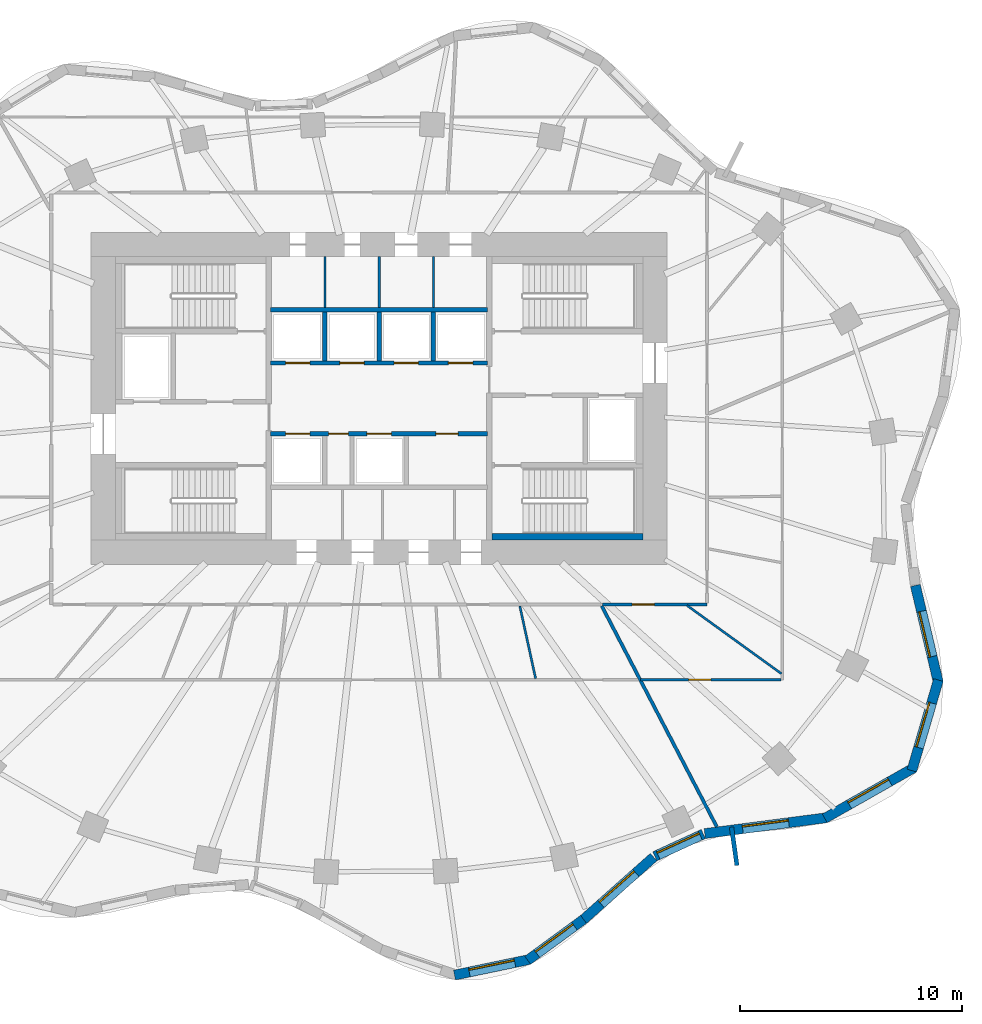
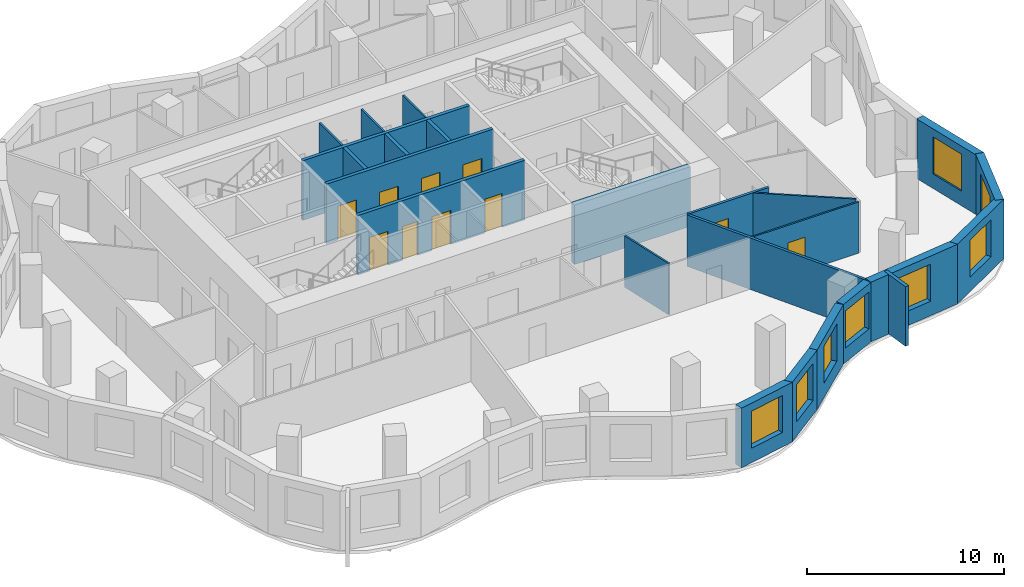
# One storey, part 5 of 9: 24 walls, 10 doors, 8 windows, 18 openings.
"""IFC4 building model written with IfcOpenShell, lengths in metres."""

from ifc_helpers import new_model, si_unit, direction, frame, frame_2d, origin, place, context, subcontext, project, spatial, rectangle, extrude, material, layer, layer_set, type_object, element, fill, save


model = new_model("IFC4")

# Units and contexts
model_context = context("Model", 3, precision=1e-05, world=origin(), true_north=direction((0.0, 1.0)))
body_context = subcontext(model_context, "Body", "Model", "MODEL_VIEW")
ifc_project = project(units=[si_unit("LENGTHUNIT", "METRE"), si_unit("AREAUNIT", "SQUARE_METRE"), si_unit("VOLUMEUNIT", "CUBIC_METRE"), si_unit("PLANEANGLEUNIT", "RADIAN"), si_unit("MASSUNIT", "GRAM", prefix="KILO")], contexts=[model_context])

# Site, building, storey
site_placement = place(None, origin())
site = spatial("IfcSite", under=ifc_project, at=site_placement, CompositionType="ELEMENT")
building_placement = place(site_placement, origin())
building = spatial("IfcBuilding", under=site, at=building_placement, Name="Rubra Terraces Tower", CompositionType="ELEMENT")
storey_placement = place(building_placement, frame((0.0, 0.0, 138.300048828125)))
storey = spatial("IfcBuildingStorey", under=building, at=storey_placement, Name="L33", CompositionType="ELEMENT", Elevation=138.300048828125)

# Wall, opening, window
ifc_material_1 = material(Name="Brick masonry red-brown", Category="masonry")
ifc_layer_1 = layer(ifc_material_1, 0.449951171875)
ifc_layer_set_1 = layer_set([ifc_layer_1], Name="Brick masonry red-brown")
wall_type_1 = type_object("IfcWallType", Name="Brick facade wall 450", PredefinedType="SOLIDWALL", material=ifc_layer_set_1)
wall_1_placement = place(storey_placement, frame((3.39892578125, -21.53173828125, 0.0), z_axis=(0.0, 0.0, 1.0), x_axis=(0.978915912181, 0.204263645512, 0.0)))
wall_1 = element("IfcWall", 1, at=wall_1_placement, inside=storey, type_object=wall_type_1, Name="Facade wall L33 bay 32", PredefinedType="SOLIDWALL", context=body_context, shape_type="SweptSolid", body=[
    extrude(rectangle(XDim=3.466064453125, YDim=0.449951171875, at=frame_2d((1.73291015625, 0.0))), origin(), (0.0, 0.0, 1.0), 3.699951171875),
])
opening_1_placement = place(wall_1_placement, frame((0.68310546875, 0.0, 0.89990234375)))
opening_1 = element("IfcOpeningElement", 2, at=opening_1_placement, cuts=wall_1, Name="Opening W1B", PredefinedType="OPENING", context=body_context, shape_type="SweptSolid", body=[
    extrude(rectangle(XDim=2.10009765625, YDim=2.300048828125, at=frame_2d((1.050048828125, 1.14990234375))), frame((0.0, 0.23486328125, 0.0), z_axis=(0.0, -1.0, 0.0), x_axis=(1.0, 0.0, 0.0)), (0.0, 0.0, 1.0), 0.469970703125),
])
ifc_material_2 = material(Name="Clear glass in aluminium frame", Category="aluminium")
window_type = type_object("IfcWindowType", Name="Fixed deep-set window tall storey 2100 x 2300", PartitioningType="SINGLE_PANEL", PredefinedType="WINDOW", material=ifc_material_2)
window_1_placement = place(opening_1_placement, origin())
window_1 = element("IfcWindow", 3, at=window_1_placement, inside=storey, type_object=window_type, Name="Window L33 bay 32", OverallHeight=2.300048828125, OverallWidth=2.10009765625, PartitioningType="SINGLE_PANEL", PredefinedType="WINDOW", context=body_context, shape_type="SweptSolid", body=[
    extrude(rectangle(XDim=2.10009765625, YDim=2.300048828125, at=frame_2d((1.050048828125, 1.14990234375))), frame((0.0, 0.135009765625, 0.0), z_axis=(0.0, -1.0, 0.0), x_axis=(1.0, 0.0, 0.0)), (0.0, 0.0, 1.0), 0.06005859375),
])
fill(opening_1, window_1)

wall_2_placement = place(storey_placement, frame((6.705078125, -20.8623046875, 0.0), z_axis=(0.0, 0.0, 1.0), x_axis=(0.806921336267, 0.590658917716, 0.0)))
wall_2 = element("IfcWall", 4, at=wall_2_placement, inside=storey, type_object=wall_type_1, Name="Facade wall L33 bay 33", PredefinedType="SOLIDWALL", context=body_context, shape_type="SweptSolid", body=[
    extrude(rectangle(XDim=3.124755859375, YDim=0.449951171875, at=frame_2d((1.5625, 0.0))), origin(), (0.0, 0.0, 1.0), 3.699951171875),
])
opening_2_placement = place(wall_2_placement, frame((0.512451171875, 0.0, 0.89990234375)))
opening_2 = element("IfcOpeningElement", 5, at=opening_2_placement, cuts=wall_2, Name="Opening W1B", PredefinedType="OPENING", context=body_context, shape_type="SweptSolid", body=[
    extrude(rectangle(XDim=2.10009765625, YDim=2.300048828125, at=frame_2d((1.050048828125, 1.14990234375))), frame((0.0, 0.23486328125, 0.0), z_axis=(0.0, -1.0, 0.0), x_axis=(1.0, 0.0, 0.0)), (0.0, 0.0, 1.0), 0.469970703125),
])
window_2_placement = place(opening_2_placement, origin())
window_2 = element("IfcWindow", 6, at=window_2_placement, inside=storey, type_object=window_type, Name="Window L33 bay 33", OverallHeight=2.300048828125, OverallWidth=2.10009765625, PartitioningType="SINGLE_PANEL", PredefinedType="WINDOW", context=body_context, shape_type="SweptSolid", body=[
    extrude(rectangle(XDim=2.10009765625, YDim=2.300048828125, at=frame_2d((1.050048828125, 1.14990234375))), frame((0.0, 0.135009765625, 0.0), z_axis=(0.0, -1.0, 0.0), x_axis=(1.0, 0.0, 0.0)), (0.0, 0.0, 1.0), 0.06005859375),
])
fill(opening_2, window_2)

wall_3_placement = place(storey_placement, frame((9.2099609375, -19.030029296875, 0.0), z_axis=(0.0, 0.0, 1.0), x_axis=(0.747396648191, 0.664378092861, 0.0)))
wall_3 = element("IfcWall", 7, at=wall_3_placement, inside=storey, type_object=wall_type_1, Name="Facade wall L33 bay 34", PredefinedType="SOLIDWALL", context=body_context, shape_type="SweptSolid", body=[
    extrude(rectangle(XDim=4.25244140625, YDim=0.449951171875, at=frame_2d((2.126220703125, 0.0))), origin(), (0.0, 0.0, 1.0), 3.699951171875),
])
opening_3_placement = place(wall_3_placement, frame((1.076171875, 0.0, 0.89990234375)))
opening_3 = element("IfcOpeningElement", 8, at=opening_3_placement, cuts=wall_3, Name="Opening W1B", PredefinedType="OPENING", context=body_context, shape_type="SweptSolid", body=[
    extrude(rectangle(XDim=2.10009765625, YDim=2.300048828125, at=frame_2d((1.050048828125, 1.14990234375))), frame((0.0, 0.23486328125, 0.0), z_axis=(0.0, -1.0, 0.0), x_axis=(1.0, 0.0, 0.0)), (0.0, 0.0, 1.0), 0.469970703125),
])
window_3_placement = place(opening_3_placement, origin())
window_3 = element("IfcWindow", 9, at=window_3_placement, inside=storey, type_object=window_type, Name="Window L33 bay 34", OverallHeight=2.300048828125, OverallWidth=2.10009765625, PartitioningType="SINGLE_PANEL", PredefinedType="WINDOW", context=body_context, shape_type="SweptSolid", body=[
    extrude(rectangle(XDim=2.10009765625, YDim=2.300048828125, at=frame_2d((1.050048828125, 1.14990234375))), frame((0.0, 0.135009765625, 0.0), z_axis=(0.0, -1.0, 0.0), x_axis=(1.0, 0.0, 0.0)), (0.0, 0.0, 1.0), 0.06005859375),
])
fill(opening_3, window_3)

wall_4_placement = place(storey_placement, frame((12.443603515625, -16.168701171875, 0.0), z_axis=(0.0, 0.0, 1.0), x_axis=(0.908468904074, 0.417952449844, 0.0)))
wall_4 = element("IfcWall", 10, at=wall_4_placement, inside=storey, type_object=wall_type_1, Name="Facade wall L33 bay 35", PredefinedType="SOLIDWALL", context=body_context, shape_type="SweptSolid", body=[
    extrude(rectangle(XDim=2.408935546875, YDim=0.449951171875, at=frame_2d((1.20458984375, 0.0))), origin(), (0.0, 0.0, 1.0), 3.699951171875),
])
opening_4_placement = place(wall_4_placement, frame((0.154541015625, 0.0, 0.89990234375)))
opening_4 = element("IfcOpeningElement", 11, at=opening_4_placement, cuts=wall_4, Name="Opening W1B", PredefinedType="OPENING", context=body_context, shape_type="SweptSolid", body=[
    extrude(rectangle(XDim=2.10009765625, YDim=2.300048828125, at=frame_2d((1.050048828125, 1.14990234375))), frame((0.0, 0.23486328125, 0.0), z_axis=(0.0, -1.0, 0.0), x_axis=(1.0, 0.0, 0.0)), (0.0, 0.0, 1.0), 0.469970703125),
])
window_4_placement = place(opening_4_placement, origin())
window_4 = element("IfcWindow", 12, at=window_4_placement, inside=storey, type_object=window_type, Name="Window L33 bay 35", OverallHeight=2.300048828125, OverallWidth=2.10009765625, PartitioningType="SINGLE_PANEL", PredefinedType="WINDOW", context=body_context, shape_type="SweptSolid", body=[
    extrude(rectangle(XDim=2.10009765625, YDim=2.300048828125, at=frame_2d((1.050048828125, 1.14990234375))), frame((0.0, 0.135009765625, 0.0), z_axis=(0.0, -1.0, 0.0), x_axis=(1.0, 0.0, 0.0)), (0.0, 0.0, 1.0), 0.06005859375),
])
fill(opening_4, window_4)

wall_5_placement = place(storey_placement, frame((14.697265625, -15.143310546875, 0.0), z_axis=(0.0, 0.0, 1.0), x_axis=(0.991631798411, 0.129098320597, 0.0)))
wall_5 = element("IfcWall", 13, at=wall_5_placement, inside=storey, type_object=wall_type_1, Name="Facade wall L33 bay 36", PredefinedType="SOLIDWALL", context=body_context, shape_type="SweptSolid", body=[
    extrude(rectangle(XDim=5.546630859375, YDim=0.449951171875, at=frame_2d((2.7734375, 0.0))), origin(), (0.0, 0.0, 1.0), 3.699951171875),
])
opening_5_placement = place(wall_5_placement, frame((1.723388671875, 0.0, 0.89990234375)))
opening_5 = element("IfcOpeningElement", 14, at=opening_5_placement, cuts=wall_5, Name="Opening W1B", PredefinedType="OPENING", context=body_context, shape_type="SweptSolid", body=[
    extrude(rectangle(XDim=2.10009765625, YDim=2.300048828125, at=frame_2d((1.050048828125, 1.14990234375))), frame((0.0, 0.23486328125, 0.0), z_axis=(0.0, -1.0, 0.0), x_axis=(1.0, 0.0, 0.0)), (0.0, 0.0, 1.0), 0.469970703125),
])
window_5_placement = place(opening_5_placement, origin())
window_5 = element("IfcWindow", 15, at=window_5_placement, inside=storey, type_object=window_type, Name="Window L33 bay 36", OverallHeight=2.300048828125, OverallWidth=2.10009765625, PartitioningType="SINGLE_PANEL", PredefinedType="WINDOW", context=body_context, shape_type="SweptSolid", body=[
    extrude(rectangle(XDim=2.10009765625, YDim=2.300048828125, at=frame_2d((1.050048828125, 1.14990234375))), frame((0.0, 0.135009765625, 0.0), z_axis=(0.0, -1.0, 0.0), x_axis=(1.0, 0.0, 0.0)), (0.0, 0.0, 1.0), 0.06005859375),
])
fill(opening_5, window_5)

wall_6_placement = place(storey_placement, frame((20.115478515625, -14.45458984375, 0.0), z_axis=(0.0, 0.0, 1.0), x_axis=(0.869822679286, 0.493364476427, 0.0)))
wall_6 = element("IfcWall", 16, at=wall_6_placement, inside=storey, type_object=wall_type_1, Name="Facade wall L33 bay 37", PredefinedType="SOLIDWALL", context=body_context, shape_type="SweptSolid", body=[
    extrude(rectangle(XDim=4.63818359375, YDim=0.449951171875, at=frame_2d((2.319091796875, 0.0))), origin(), (0.0, 0.0, 1.0), 3.699951171875),
])
opening_6_placement = place(wall_6_placement, frame((1.26904296875, 0.0, 0.89990234375)))
opening_6 = element("IfcOpeningElement", 17, at=opening_6_placement, cuts=wall_6, Name="Opening W1B", PredefinedType="OPENING", context=body_context, shape_type="SweptSolid", body=[
    extrude(rectangle(XDim=2.10009765625, YDim=2.300048828125, at=frame_2d((1.050048828125, 1.14990234375))), frame((0.0, 0.23486328125, 0.0), z_axis=(0.0, -1.0, 0.0), x_axis=(1.0, 0.0, 0.0)), (0.0, 0.0, 1.0), 0.469970703125),
])
window_6_placement = place(opening_6_placement, origin())
window_6 = element("IfcWindow", 18, at=window_6_placement, inside=storey, type_object=window_type, Name="Window L33 bay 37", OverallHeight=2.300048828125, OverallWidth=2.10009765625, PartitioningType="SINGLE_PANEL", PredefinedType="WINDOW", context=body_context, shape_type="SweptSolid", body=[
    extrude(rectangle(XDim=2.10009765625, YDim=2.300048828125, at=frame_2d((1.050048828125, 1.14990234375))), frame((0.0, 0.135009765625, 0.0), z_axis=(0.0, -1.0, 0.0), x_axis=(1.0, 0.0, 0.0)), (0.0, 0.0, 1.0), 0.06005859375),
])
fill(opening_6, window_6)

wall_7_placement = place(storey_placement, frame((24.045166015625, -12.298583984375, 0.0), z_axis=(0.0, 0.0, 1.0), x_axis=(0.281381418228, 0.95959600743, 0.0)))
wall_7 = element("IfcWall", 19, at=wall_7_placement, inside=storey, type_object=wall_type_1, Name="Facade wall L33 bay 38", PredefinedType="SOLIDWALL", context=body_context, shape_type="SweptSolid", body=[
    extrude(rectangle(XDim=4.260986328125, YDim=0.449951171875, at=frame_2d((2.13037109375, 0.0))), origin(), (0.0, 0.0, 1.0), 3.699951171875),
])
opening_7_placement = place(wall_7_placement, frame((1.08056640625, 0.0, 0.89990234375)))
opening_7 = element("IfcOpeningElement", 20, at=opening_7_placement, cuts=wall_7, Name="Opening W1B", PredefinedType="OPENING", context=body_context, shape_type="SweptSolid", body=[
    extrude(rectangle(XDim=2.10009765625, YDim=2.300048828125, at=frame_2d((1.050048828125, 1.14990234375))), frame((0.0, 0.23486328125, 0.0), z_axis=(0.0, -1.0, 0.0), x_axis=(1.0, 0.0, 0.0)), (0.0, 0.0, 1.0), 0.469970703125),
])
window_7_placement = place(opening_7_placement, origin())
window_7 = element("IfcWindow", 21, at=window_7_placement, inside=storey, type_object=window_type, Name="Window L33 bay 38", OverallHeight=2.300048828125, OverallWidth=2.10009765625, PartitioningType="SINGLE_PANEL", PredefinedType="WINDOW", context=body_context, shape_type="SweptSolid", body=[
    extrude(rectangle(XDim=2.10009765625, YDim=2.300048828125, at=frame_2d((1.050048828125, 1.14990234375))), frame((0.0, 0.135009765625, 0.0), z_axis=(0.0, -1.0, 0.0), x_axis=(1.0, 0.0, 0.0)), (0.0, 0.0, 1.0), 0.06005859375),
])
fill(opening_7, window_7)

wall_8_placement = place(storey_placement, frame((25.23974609375, -8.3193359375, 0.0), z_axis=(0.0, 0.0, 1.0), x_axis=(-0.230037604827, 0.973181740666, 0.0)))
wall_8 = element("IfcWall", 22, at=wall_8_placement, inside=storey, type_object=wall_type_1, Name="Facade wall L33 bay 39", PredefinedType="SOLIDWALL", context=body_context, shape_type="SweptSolid", body=[
    extrude(rectangle(XDim=4.497802734375, YDim=0.449951171875, at=frame_2d((2.2490234375, 0.0))), origin(), (0.0, 0.0, 1.0), 3.699951171875),
])
opening_8_placement = place(wall_8_placement, frame((1.198974609375, 0.0, 0.89990234375)))
opening_8 = element("IfcOpeningElement", 23, at=opening_8_placement, cuts=wall_8, Name="Opening W1B", PredefinedType="OPENING", context=body_context, shape_type="SweptSolid", body=[
    extrude(rectangle(XDim=2.10009765625, YDim=2.300048828125, at=frame_2d((1.050048828125, 1.14990234375))), frame((0.0, 0.23486328125, 0.0), z_axis=(0.0, -1.0, 0.0), x_axis=(1.0, 0.0, 0.0)), (0.0, 0.0, 1.0), 0.469970703125),
])
window_8_placement = place(opening_8_placement, origin())
window_8 = element("IfcWindow", 24, at=window_8_placement, inside=storey, type_object=window_type, Name="Window L33 bay 39", OverallHeight=2.300048828125, OverallWidth=2.10009765625, PartitioningType="SINGLE_PANEL", PredefinedType="WINDOW", context=body_context, shape_type="SweptSolid", body=[
    extrude(rectangle(XDim=2.10009765625, YDim=2.300048828125, at=frame_2d((1.050048828125, 1.14990234375))), frame((0.0, 0.135009765625, 0.0), z_axis=(0.0, -1.0, 0.0), x_axis=(1.0, 0.0, 0.0)), (0.0, 0.0, 1.0), 0.06005859375),
])
fill(opening_8, window_8)

# Wall
ifc_layer_2 = layer(ifc_material_1, 0.199951171875)
ifc_layer_set_2 = layer_set([ifc_layer_2], Name="Brick masonry red-brown")
wall_type_2 = type_object("IfcWallType", Name="Brick wind fin 200", PredefinedType="SOLIDWALL", material=ifc_layer_set_2)
wall_9_placement = place(storey_placement, frame((15.905029296875, -14.85009765625, 0.0), z_axis=(0.0, 0.0, 1.0), x_axis=(0.140913490987, -0.990021912918, 0.0)))
element("IfcWall", 25, at=wall_9_placement, inside=storey, type_object=wall_type_2, Name="Wind fin L33 18", PredefinedType="SOLIDWALL", context=body_context, shape_type="SweptSolid", body=[
    extrude(rectangle(XDim=1.75, YDim=0.199951171875, at=frame_2d((0.875, 0.0))), origin(), (0.0, 0.0, 1.0), 3.699951171875),
])

# Wall, opening, door
ifc_material_3 = material(Name="Plasterboard on steel stud, mineral wool infill", Category="steel")
ifc_layer_3 = layer(ifc_material_3, 0.14990234375)
ifc_layer_set_3 = layer_set([ifc_layer_3], Name="Plasterboard on steel stud, mineral wool infill")
wall_type_3 = type_object("IfcWallType", Name="CORRIDOR PARTITION 150", PredefinedType="PARTITIONING", material=ifc_layer_set_3)
wall_10_placement = place(storey_placement, frame((10.086181640625, -4.800048828125, 0.0), z_axis=(0.0, 0.0, 1.0), x_axis=(1.0, 0.0, 0.0)))
wall_10 = element("IfcWall", 26, at=wall_10_placement, inside=storey, type_object=wall_type_3, Name="PARTITION", PredefinedType="PARTITIONING", context=body_context, shape_type="SweptSolid", body=[
    extrude(rectangle(XDim=4.7138671875, YDim=0.14990234375, at=frame_2d((2.35693359375, 0.0))), origin(), (0.0, 0.0, 1.0), 3.197998046875),
])
opening_9_placement = place(wall_10_placement, frame((1.3369140625, 0.0, 0.0)))
opening_9 = element("IfcOpeningElement", 27, at=opening_9_placement, cuts=wall_10, Name="Opening 33-119", PredefinedType="OPENING", context=body_context, shape_type="SweptSolid", body=[
    extrude(rectangle(XDim=1.0, YDim=2.10009765625, at=frame_2d((0.5, 1.050048828125))), frame((0.0, 0.0849609375, 0.0), z_axis=(0.0, -1.0, 0.0), x_axis=(1.0, 0.0, 0.0)), (0.0, 0.0, 1.0), 0.169921875),
])
ifc_material_4 = material(Name="Painted timber door leaf", Category="wood")
door_type_1 = type_object("IfcDoorType", Name="ROOM DOOR 1000 X 2100", OperationType="SINGLE_SWING_LEFT", PredefinedType="DOOR", material=ifc_material_4)
door_1_placement = place(opening_9_placement, origin())
door_1 = element("IfcDoor", 28, at=door_1_placement, inside=storey, type_object=door_type_1, Name="DOOR 33-119", OperationType="SINGLE_SWING_RIGHT", OverallHeight=2.10009765625, OverallWidth=1.0, PredefinedType="DOOR", context=body_context, shape_type="SweptSolid", body=[
    extrude(rectangle(XDim=1.0, YDim=2.10009765625, at=frame_2d((0.5, 1.050048828125))), frame((0.0, 0.02490234375, 0.0), z_axis=(0.0, -1.0, 0.0), x_axis=(1.0, 0.0, 0.0)), (0.0, 0.0, 1.0), 0.050048828125),
])
fill(opening_9, door_1)

# Wall
ifc_material_5 = material(Name="Concrete C40", Category="concrete")
ifc_layer_4 = layer(ifc_material_5, 0.300048828125)
ifc_layer_set_4 = layer_set([ifc_layer_4], Name="Concrete C40")
wall_type_4 = type_object("IfcWallType", Name="Core lining wall 300 concrete", PredefinedType="SOLIDWALL", material=ifc_layer_set_4)
wall_11_placement = place(storey_placement, frame((11.89990234375, -1.75, 0.0), z_axis=(0.0, 0.0, 1.0), x_axis=(-1.0, 0.0, 0.0)))
element("IfcWall", 29, at=wall_11_placement, inside=storey, type_object=wall_type_4, Name="CORE LINING WALL L33", PredefinedType="SOLIDWALL", context=body_context, shape_type="SweptSolid", body=[
    extrude(rectangle(XDim=6.7998046875, YDim=0.300048828125, at=frame_2d((3.39990234375, 0.0))), origin(), (0.0, 0.0, 1.0), 3.699951171875),
])

# Wall, openings, doors
ifc_material_6 = material(Name="Concrete C30", Category="concrete")
ifc_layer_5 = layer(ifc_material_6, 0.199951171875)
ifc_layer_set_5 = layer_set([ifc_layer_5], Name="Concrete C30")
wall_type_5 = type_object("IfcWallType", Name="Core wall 200 concrete", PredefinedType="SOLIDWALL", material=ifc_layer_set_5)
wall_12_placement = place(storey_placement, frame((-4.89990234375, 2.89990234375, 0.0), z_axis=(0.0, 0.0, 1.0), x_axis=(1.0, 0.0, 0.0)))
wall_12 = element("IfcWall", 30, at=wall_12_placement, inside=storey, type_object=wall_type_5, Name="LIFT SHAFT WALL L33", PredefinedType="SOLIDWALL", context=body_context, shape_type="SweptSolid", body=[
    extrude(rectangle(XDim=9.7998046875, YDim=0.199951171875, at=frame_2d((4.89990234375, 0.0))), origin(), (0.0, 0.0, 1.0), 3.699951171875),
])
opening_10_placement = place(wall_12_placement, frame((0.675048828125, 0.0, 0.0)))
opening_10 = element("IfcOpeningElement", 31, at=opening_10_placement, cuts=wall_12, Name="Opening L33.C13", PredefinedType="OPENING", context=body_context, shape_type="SweptSolid", body=[
    extrude(rectangle(XDim=1.10009765625, YDim=2.10009765625, at=frame_2d((0.550048828125, 1.050048828125))), frame((0.0, 0.10986328125, 0.0), z_axis=(0.0, -1.0, 0.0), x_axis=(1.0, 0.0, 0.0)), (0.0, 0.0, 1.0), 0.219970703125),
])
opening_11_placement = place(wall_12_placement, frame((2.613037109375, 0.0, 0.0)))
opening_11 = element("IfcOpeningElement", 32, at=opening_11_placement, cuts=wall_12, Name="Opening L33.C14", PredefinedType="OPENING", context=body_context, shape_type="SweptSolid", body=[
    extrude(rectangle(XDim=0.89990234375, YDim=2.10009765625, at=frame_2d((0.449951171875, 1.050048828125))), frame((0.0, 0.10986328125, 0.0), z_axis=(0.0, -1.0, 0.0), x_axis=(1.0, 0.0, 0.0)), (0.0, 0.0, 1.0), 0.219970703125),
])
opening_12_placement = place(wall_12_placement, frame((4.35009765625, 0.0, 0.0)))
opening_12 = element("IfcOpeningElement", 33, at=opening_12_placement, cuts=wall_12, Name="Opening L33.C15", PredefinedType="OPENING", context=body_context, shape_type="SweptSolid", body=[
    extrude(rectangle(XDim=1.10009765625, YDim=2.10009765625, at=frame_2d((0.550048828125, 1.050048828125))), frame((0.0, 0.10986328125, 0.0), z_axis=(0.0, -1.0, 0.0), x_axis=(1.0, 0.0, 0.0)), (0.0, 0.0, 1.0), 0.219970703125),
])
opening_13_placement = place(wall_12_placement, frame((7.462890625, 0.0, 0.0)))
opening_13 = element("IfcOpeningElement", 34, at=opening_13_placement, cuts=wall_12, Name="Opening L33.C16", PredefinedType="OPENING", context=body_context, shape_type="SweptSolid", body=[
    extrude(rectangle(XDim=1.0, YDim=2.10009765625, at=frame_2d((0.5, 1.050048828125))), frame((0.0, 0.10986328125, 0.0), z_axis=(0.0, -1.0, 0.0), x_axis=(1.0, 0.0, 0.0)), (0.0, 0.0, 1.0), 0.219970703125),
])
ifc_material_7 = material(Name="Painted steel", Category="steel")
door_type_2 = type_object("IfcDoorType", Name="Fire door 1000x2100 single", OperationType="NOTDEFINED", PredefinedType="DOOR", material=ifc_material_7)
door_2_placement = place(opening_13_placement, origin())
door_2 = element("IfcDoor", 35, at=door_2_placement, inside=storey, type_object=door_type_2, Name="Guest pantry door", OperationType="SINGLE_SWING_RIGHT", OverallHeight=2.10009765625, OverallWidth=1.0, PredefinedType="DOOR", context=body_context, shape_type="SweptSolid", body=[
    extrude(rectangle(XDim=1.0, YDim=2.10009765625, at=frame_2d((0.5, 1.050048828125))), frame((0.0, 0.02490234375, 0.0), z_axis=(0.0, -1.0, 0.0), x_axis=(1.0, 0.0, 0.0)), (0.0, 0.0, 1.0), 0.050048828125),
])
fill(opening_13, door_2)
door_type_3 = type_object("IfcDoorType", Name="Fire door 900x2100 single", OperationType="NOTDEFINED", PredefinedType="DOOR", material=ifc_material_7)
door_3_placement = place(opening_11_placement, origin())
door_3 = element("IfcDoor", 36, at=door_3_placement, inside=storey, type_object=door_type_3, Name="Cleaner's store door", OperationType="SINGLE_SWING_RIGHT", OverallHeight=2.10009765625, OverallWidth=0.89990234375, PredefinedType="DOOR", context=body_context, shape_type="SweptSolid", body=[
    extrude(rectangle(XDim=0.89990234375, YDim=2.10009765625, at=frame_2d((0.449951171875, 1.050048828125))), frame((0.0, 0.02490234375, 0.0), z_axis=(0.0, -1.0, 0.0), x_axis=(1.0, 0.0, 0.0)), (0.0, 0.0, 1.0), 0.050048828125),
])
fill(opening_11, door_3)
ifc_material_8 = material(Name="Stainless steel", Category="steel")
door_type_4 = type_object("IfcDoorType", Name="Lift landing door 1100x2100", OperationType="NOTDEFINED", PredefinedType="DOOR", material=ifc_material_8)
door_4_placement = place(opening_10_placement, origin())
door_4 = element("IfcDoor", 37, at=door_4_placement, inside=storey, type_object=door_type_4, Name="Landing door HB1", OperationType="SLIDING_TO_RIGHT", OverallHeight=2.10009765625, OverallWidth=1.10009765625, PredefinedType="DOOR", context=body_context, shape_type="SweptSolid", body=[
    extrude(rectangle(XDim=1.10009765625, YDim=2.10009765625, at=frame_2d((0.550048828125, 1.050048828125))), frame((0.0, 0.02490234375, 0.0), z_axis=(0.0, -1.0, 0.0), x_axis=(1.0, 0.0, 0.0)), (0.0, 0.0, 1.0), 0.050048828125),
])
fill(opening_10, door_4)
door_5_placement = place(opening_12_placement, origin())
door_5 = element("IfcDoor", 38, at=door_5_placement, inside=storey, type_object=door_type_4, Name="Landing door HB2", OperationType="SLIDING_TO_LEFT", OverallHeight=2.10009765625, OverallWidth=1.10009765625, PredefinedType="DOOR", context=body_context, shape_type="SweptSolid", body=[
    extrude(rectangle(XDim=1.10009765625, YDim=2.10009765625, at=frame_2d((0.550048828125, 1.050048828125))), frame((0.0, 0.02490234375, 0.0), z_axis=(0.0, -1.0, 0.0), x_axis=(1.0, 0.0, 0.0)), (0.0, 0.0, 1.0), 0.050048828125),
])
fill(opening_12, door_5)

wall_13_placement = place(storey_placement, frame((-4.89990234375, 6.10009765625, 0.0), z_axis=(0.0, 0.0, 1.0), x_axis=(1.0, 0.0, 0.0)))
wall_13 = element("IfcWall", 39, at=wall_13_placement, inside=storey, type_object=wall_type_5, Name="LIFT SHAFT WALL L33", PredefinedType="SOLIDWALL", context=body_context, shape_type="SweptSolid", body=[
    extrude(rectangle(XDim=9.7998046875, YDim=0.199951171875, at=frame_2d((4.89990234375, 0.0))), origin(), (0.0, 0.0, 1.0), 3.699951171875),
])
opening_14_placement = place(wall_13_placement, frame((0.675048828125, 0.0, 0.0)))
opening_14 = element("IfcOpeningElement", 40, at=opening_14_placement, cuts=wall_13, Name="Opening L33.C17", PredefinedType="OPENING", context=body_context, shape_type="SweptSolid", body=[
    extrude(rectangle(XDim=1.10009765625, YDim=2.10009765625, at=frame_2d((0.550048828125, 1.050048828125))), frame((0.0, 0.10986328125, 0.0), z_axis=(0.0, -1.0, 0.0), x_axis=(1.0, 0.0, 0.0)), (0.0, 0.0, 1.0), 0.219970703125),
])
opening_15_placement = place(wall_13_placement, frame((3.125, 0.0, 0.0)))
opening_15 = element("IfcOpeningElement", 41, at=opening_15_placement, cuts=wall_13, Name="Opening L33.C18", PredefinedType="OPENING", context=body_context, shape_type="SweptSolid", body=[
    extrude(rectangle(XDim=1.10009765625, YDim=2.10009765625, at=frame_2d((0.550048828125, 1.050048828125))), frame((0.0, 0.10986328125, 0.0), z_axis=(0.0, -1.0, 0.0), x_axis=(1.0, 0.0, 0.0)), (0.0, 0.0, 1.0), 0.219970703125),
])
opening_16_placement = place(wall_13_placement, frame((5.574951171875, 0.0, 0.0)))
opening_16 = element("IfcOpeningElement", 42, at=opening_16_placement, cuts=wall_13, Name="Opening L33.C19", PredefinedType="OPENING", context=body_context, shape_type="SweptSolid", body=[
    extrude(rectangle(XDim=1.10009765625, YDim=2.10009765625, at=frame_2d((0.550048828125, 1.050048828125))), frame((0.0, 0.10986328125, 0.0), z_axis=(0.0, -1.0, 0.0), x_axis=(1.0, 0.0, 0.0)), (0.0, 0.0, 1.0), 0.219970703125),
])
opening_17_placement = place(wall_13_placement, frame((8.02490234375, 0.0, 0.0)))
opening_17 = element("IfcOpeningElement", 43, at=opening_17_placement, cuts=wall_13, Name="Opening L33.C20", PredefinedType="OPENING", context=body_context, shape_type="SweptSolid", body=[
    extrude(rectangle(XDim=1.10009765625, YDim=2.10009765625, at=frame_2d((0.550048828125, 1.050048828125))), frame((0.0, 0.10986328125, 0.0), z_axis=(0.0, -1.0, 0.0), x_axis=(1.0, 0.0, 0.0)), (0.0, 0.0, 1.0), 0.219970703125),
])
door_6_placement = place(opening_14_placement, origin())
door_6 = element("IfcDoor", 44, at=door_6_placement, inside=storey, type_object=door_type_4, Name="Landing door HB3", OperationType="SLIDING_TO_RIGHT", OverallHeight=2.10009765625, OverallWidth=1.10009765625, PredefinedType="DOOR", context=body_context, shape_type="SweptSolid", body=[
    extrude(rectangle(XDim=1.10009765625, YDim=2.10009765625, at=frame_2d((0.550048828125, 1.050048828125))), frame((0.0, 0.02490234375, 0.0), z_axis=(0.0, -1.0, 0.0), x_axis=(1.0, 0.0, 0.0)), (0.0, 0.0, 1.0), 0.050048828125),
])
fill(opening_14, door_6)
door_7_placement = place(opening_15_placement, origin())
door_7 = element("IfcDoor", 45, at=door_7_placement, inside=storey, type_object=door_type_4, Name="Landing door HB4", OperationType="SLIDING_TO_LEFT", OverallHeight=2.10009765625, OverallWidth=1.10009765625, PredefinedType="DOOR", context=body_context, shape_type="SweptSolid", body=[
    extrude(rectangle(XDim=1.10009765625, YDim=2.10009765625, at=frame_2d((0.550048828125, 1.050048828125))), frame((0.0, 0.02490234375, 0.0), z_axis=(0.0, -1.0, 0.0), x_axis=(1.0, 0.0, 0.0)), (0.0, 0.0, 1.0), 0.050048828125),
])
fill(opening_15, door_7)
door_8_placement = place(opening_16_placement, origin())
door_8 = element("IfcDoor", 46, at=door_8_placement, inside=storey, type_object=door_type_4, Name="Landing door HB5", OperationType="SLIDING_TO_RIGHT", OverallHeight=2.10009765625, OverallWidth=1.10009765625, PredefinedType="DOOR", context=body_context, shape_type="SweptSolid", body=[
    extrude(rectangle(XDim=1.10009765625, YDim=2.10009765625, at=frame_2d((0.550048828125, 1.050048828125))), frame((0.0, 0.02490234375, 0.0), z_axis=(0.0, -1.0, 0.0), x_axis=(1.0, 0.0, 0.0)), (0.0, 0.0, 1.0), 0.050048828125),
])
fill(opening_16, door_8)
door_9_placement = place(opening_17_placement, origin())
door_9 = element("IfcDoor", 47, at=door_9_placement, inside=storey, type_object=door_type_4, Name="Landing door HB6", OperationType="SLIDING_TO_LEFT", OverallHeight=2.10009765625, OverallWidth=1.10009765625, PredefinedType="DOOR", context=body_context, shape_type="SweptSolid", body=[
    extrude(rectangle(XDim=1.10009765625, YDim=2.10009765625, at=frame_2d((0.550048828125, 1.050048828125))), frame((0.0, 0.02490234375, 0.0), z_axis=(0.0, -1.0, 0.0), x_axis=(1.0, 0.0, 0.0)), (0.0, 0.0, 1.0), 0.050048828125),
])
fill(opening_17, door_9)

# Walls
wall_14_placement = place(storey_placement, frame((-4.89990234375, 8.5, 0.0), z_axis=(0.0, 0.0, 1.0), x_axis=(1.0, 0.0, 0.0)))
element("IfcWall", 48, at=wall_14_placement, inside=storey, type_object=wall_type_5, Name="LIFT SHAFT WALL L33", PredefinedType="SOLIDWALL", context=body_context, shape_type="SweptSolid", body=[
    extrude(rectangle(XDim=9.7998046875, YDim=0.199951171875, at=frame_2d((4.89990234375, 0.0))), origin(), (0.0, 0.0, 1.0), 3.699951171875),
])
for number, where, z_axis, x_axis, name in (
    (49, (-2.449951171875, 6.199951171875, 0.0), (0.0, 0.0, 1.0), (0.0, 1.0, 0.0), "LIFT SHAFT WALL L33"),
    (50, (0.0, 6.199951171875, 0.0), (0.0, 0.0, 1.0), (0.0, 1.0, 0.0), "LIFT SHAFT WALL L33"),
    (51, (2.449951171875, 6.199951171875, 0.0), (0.0, 0.0, 1.0), (0.0, 1.0, 0.0), "LIFT SHAFT WALL L33"),
):
    element("IfcWall", number, at=place(storey_placement, frame(where, z_axis=z_axis, x_axis=x_axis)), inside=storey, type_object=wall_type_5, Name=name, PredefinedType="SOLIDWALL", context=body_context, shape_type="SweptSolid", body=[
        extrude(rectangle(XDim=2.199951171875, YDim=0.199951171875, at=frame_2d((1.10009765625, 0.0))), origin(), (0.0, 0.0, 1.0), 3.699951171875),
    ])
ifc_material_9 = material(Name="Plasterboard on steel stud", Category="steel")
ifc_layer_6 = layer(ifc_material_9, 0.10009765625)
ifc_layer_set_6 = layer_set([ifc_layer_6], Name="Plasterboard on steel stud")
wall_type_6 = type_object("IfcWallType", Name="ROOM PARTITION 100", PredefinedType="PARTITIONING", material=ifc_layer_set_6)
wall_15_placement = place(storey_placement, frame((6.349609375, -4.873291015625, 0.0), z_axis=(0.0, 0.0, 1.0), x_axis=(0.213006668545, -0.977050745435, 0.0)))
element("IfcWall", 52, at=wall_15_placement, inside=storey, type_object=wall_type_6, Name="PARTITION", PredefinedType="PARTITIONING", context=body_context, shape_type="SweptSolid", body=[
    extrude(rectangle(XDim=3.354736328125, YDim=0.10009765625, at=frame_2d((1.67724609375, 0.0))), origin(), (0.0, 0.0, 1.0), 3.183837890625),
])

# Wall, opening, door
wall_16_placement = place(storey_placement, frame((18.14990234375, -8.199951171875, 0.0), z_axis=(0.0, 0.0, 1.0), x_axis=(-1.0, 0.0, 0.0)))
wall_16 = element("IfcWall", 53, at=wall_16_placement, inside=storey, type_object=wall_type_6, Name="PARTITION", PredefinedType="PARTITIONING", context=body_context, shape_type="SweptSolid", body=[
    extrude(rectangle(XDim=6.34423828125, YDim=0.10009765625, at=frame_2d((3.172119140625, 0.0))), origin(), (0.0, 0.0, 1.0), 3.183837890625),
])
opening_18_placement = place(wall_16_placement, frame((3.178955078125, 0.0, 0.0)))
opening_18 = element("IfcOpeningElement", 54, at=opening_18_placement, cuts=wall_16, Name="Opening 33-120", PredefinedType="OPENING", context=body_context, shape_type="SweptSolid", body=[
    extrude(rectangle(XDim=1.0, YDim=2.10009765625, at=frame_2d((0.5, 1.050048828125))), frame((0.0, 0.06005859375, 0.0), z_axis=(0.0, -1.0, 0.0), x_axis=(1.0, 0.0, 0.0)), (0.0, 0.0, 1.0), 0.1201171875),
])
door_10_placement = place(opening_18_placement, origin())
door_10 = element("IfcDoor", 55, at=door_10_placement, inside=storey, type_object=door_type_1, Name="DOOR 33-120", OperationType="SINGLE_SWING_RIGHT", OverallHeight=2.10009765625, OverallWidth=1.0, PredefinedType="DOOR", context=body_context, shape_type="SweptSolid", body=[
    extrude(rectangle(XDim=1.0, YDim=2.10009765625, at=frame_2d((0.5, 1.050048828125))), frame((0.0, 0.02490234375, 0.0), z_axis=(0.0, -1.0, 0.0), x_axis=(1.0, 0.0, 0.0)), (0.0, 0.0, 1.0), 0.050048828125),
])
fill(opening_18, door_10)

# Walls
wall_17_placement = place(storey_placement, frame((13.896240234375, -4.843994140625, 0.0), z_axis=(0.0, 0.0, 1.0), x_axis=(0.810468668719, -0.585781987624, 0.0)))
element("IfcWall", 56, at=wall_17_placement, inside=storey, type_object=wall_type_6, Name="PARTITION", PredefinedType="PARTITIONING", context=body_context, shape_type="SweptSolid", body=[
    extrude(rectangle(XDim=5.26025390625, YDim=0.10009765625, at=frame_2d((2.630126953125, 0.0))), origin(), (0.0, 0.0, 1.0), 3.183837890625),
])
ifc_layer_7 = layer(ifc_material_9, 0.14990234375)
ifc_layer_set_7 = layer_set([ifc_layer_7], Name="Plasterboard on steel stud")
wall_type_7 = type_object("IfcWallType", Name="ROOM PARTITION 150", PredefinedType="PARTITIONING", material=ifc_layer_set_7)
wall_18_placement = place(storey_placement, frame((15.243896484375, -14.841064453125, 0.0), z_axis=(0.0, 0.0, 1.0), x_axis=(-0.46213645011, 0.88680883029, 0.0)))
element("IfcWall", 57, at=wall_18_placement, inside=storey, type_object=wall_type_7, Name="PARTITION", PredefinedType="PARTITIONING", context=body_context, shape_type="SweptSolid", body=[
    extrude(rectangle(XDim=11.247802734375, YDim=0.14990234375, at=frame_2d((5.6240234375, 0.0))), origin(), (0.0, 0.0, 1.0), 3.197998046875),
])
ifc_material_10 = material(Name="Blockwork", Category="masonry")
ifc_layer_8 = layer(ifc_material_10, 0.10009765625)
ifc_layer_set_8 = layer_set([ifc_layer_8], Name="Blockwork")
wall_type_8 = type_object("IfcWallType", Name="Service partition 100 blockwork", PredefinedType="PARTITIONING", material=ifc_layer_set_8)
for number, where, z_axis, x_axis, name in (
    (58, (-2.449951171875, 8.60009765625, 0.0), (0.0, 0.0, 1.0), (0.0, 1.0, 0.0), "SERVICE ROOM PARTITION L33"),
    (59, (0.0, 8.60009765625, 0.0), (0.0, 0.0, 1.0), (0.0, 1.0, 0.0), "SERVICE ROOM PARTITION L33"),
    (60, (2.449951171875, 8.60009765625, 0.0), (0.0, 0.0, 1.0), (0.0, 1.0, 0.0), "SERVICE ROOM PARTITION L33"),
):
    element("IfcWall", number, at=place(storey_placement, frame(where, z_axis=z_axis, x_axis=x_axis)), inside=storey, type_object=wall_type_8, Name=name, PredefinedType="PARTITIONING", context=body_context, shape_type="SweptSolid", body=[
        extrude(rectangle(XDim=2.2998046875, YDim=0.10009765625, at=frame_2d((1.14990234375, 0.0))), origin(), (0.0, 0.0, 1.0), 3.699951171875),
    ])

save(model, "model.ifc")
